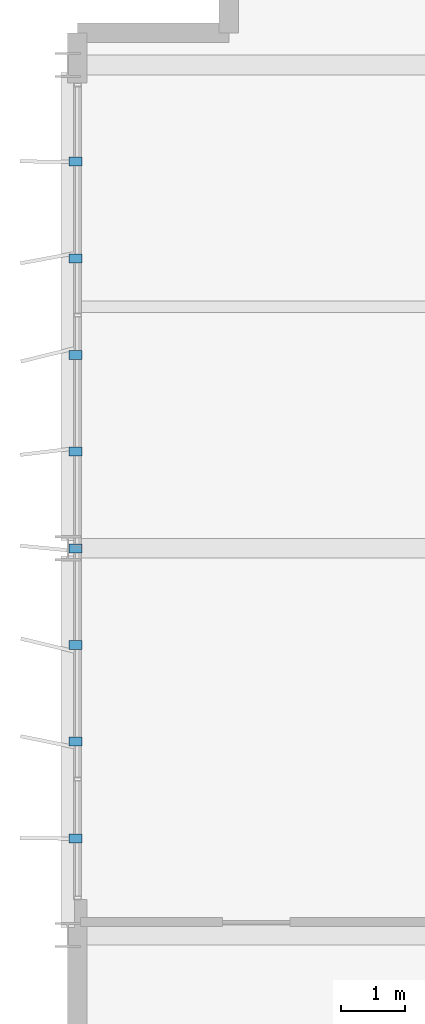
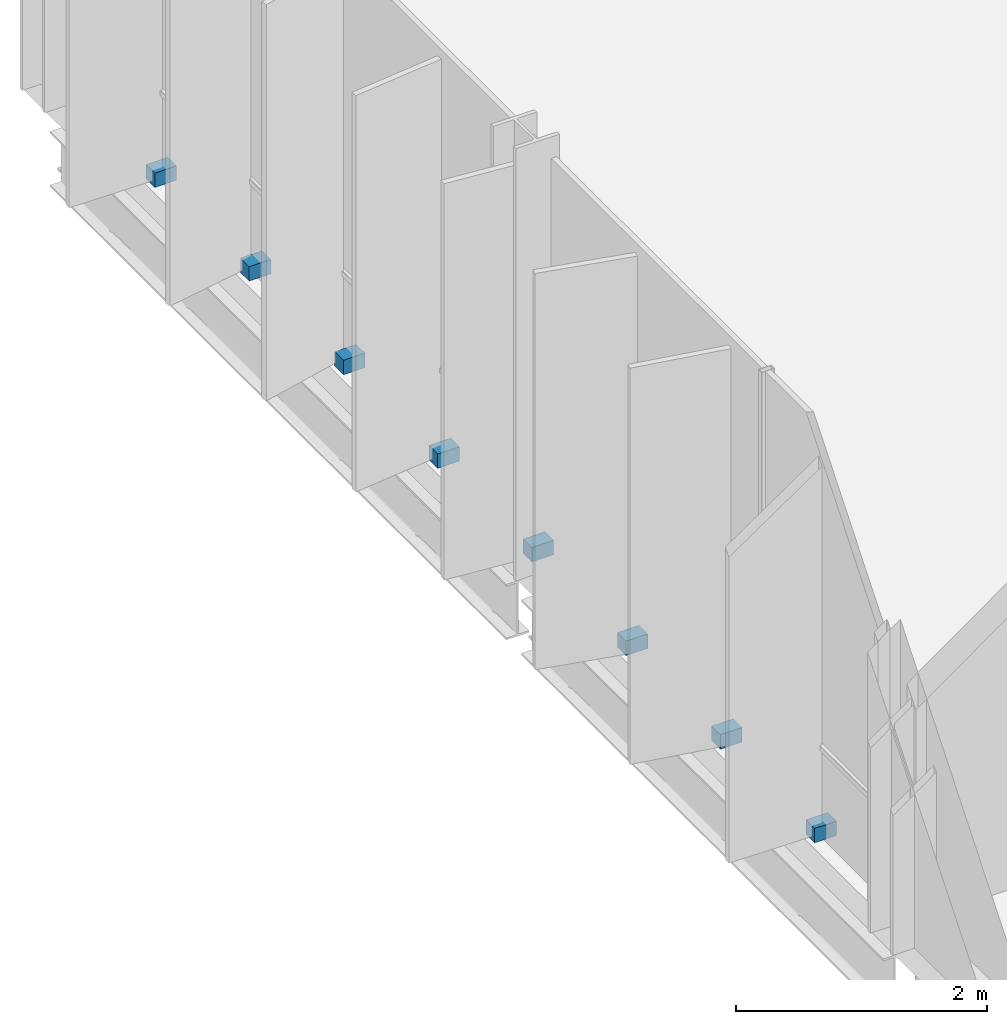
# One storey, part 29 of 33: 8 discrete accessories.
"""IFC4 building model written with IfcOpenShell, lengths in metres."""

from ifc_helpers import new_model, si_unit, direction, frame, origin, origin_2d, place, context, subcontext, project, spatial, rectangle, extrude, material, type_object, element, save


model = new_model("IFC4")

# Units and contexts
model_context = context("Model", 3, precision=1e-05, world=origin(), true_north=direction((0.0, 1.0)))
body_context = subcontext(model_context, "Body", "Model", "MODEL_VIEW")
ifc_project = project(units=[si_unit("LENGTHUNIT", "METRE"), si_unit("AREAUNIT", "SQUARE_METRE"), si_unit("VOLUMEUNIT", "CUBIC_METRE"), si_unit("PLANEANGLEUNIT", "RADIAN"), si_unit("MASSUNIT", "GRAM", prefix="KILO")], contexts=[model_context])

# Site, building, storey
site_placement = place(None, origin())
site = spatial("IfcSite", under=ifc_project, at=site_placement, CompositionType="ELEMENT")
building_placement = place(site_placement, origin())
building = spatial("IfcBuilding", under=site, at=building_placement, Name="Brevholm Reach", CompositionType="ELEMENT")
storey_placement = place(building_placement, frame((0.0, 0.0, 179.0)))
storey = spatial("IfcBuildingStorey", under=building, at=storey_placement, Name="L54", CompositionType="ELEMENT", Elevation=179.0)

# Discrete accessories
ifc_material = material(Name="Duplex Stainless Steel EN 1.4462", Category="steel")
discrete_accessory_type = type_object("IfcDiscreteAccessoryType", Name="ACC-BRK-01", PredefinedType="BRACKET", material=ifc_material)
for number, where, z_axis, x_axis, name in (
    (1, (0.1201171875, 11.5, 0.0302734375), (0.0, 0.0, 1.0), (-1.0, 0.0, 0.0), "L54 Solar Screen Support Bracket 1"),
    (2, (0.1201171875, 13.0, 0.0302734375), (0.0, 0.0, 1.0), (-1.0, 0.0, 0.0), "L54 Solar Screen Support Bracket 2"),
    (3, (0.1201171875, 14.5, 0.0302734375), (0.0, 0.0, 1.0), (-1.0, 0.0, 0.0), "L54 Solar Screen Support Bracket 3"),
    (4, (0.1201171875, 16.0, 0.0302734375), (0.0, 0.0, 1.0), (-1.0, 0.0, 0.0), "L54 Solar Screen Support Bracket 4"),
    (5, (0.1201171875, 17.5, 0.0302734375), (0.0, 0.0, 1.0), (-1.0, 0.0, 0.0), "L54 Solar Screen Support Bracket 5"),
    (6, (0.1201171875, 19.0, 0.0302734375), (0.0, 0.0, 1.0), (-1.0, 0.0, 0.0), "L54 Solar Screen Support Bracket 6"),
    (7, (0.1201171875, 20.5, 0.0302734375), (0.0, 0.0, 1.0), (-1.0, 0.0, 0.0), "L54 Solar Screen Support Bracket 7"),
    (8, (0.1201171875, 22.0, 0.0302734375), (0.0, 0.0, 1.0), (-1.0, 0.0, 0.0), "L54 Solar Screen Support Bracket 8"),
):
    element("IfcDiscreteAccessory", number, at=place(storey_placement, frame(where, z_axis=z_axis, x_axis=x_axis)), inside=storey, type_object=discrete_accessory_type, Name=name, PredefinedType="BRACKET", context=body_context, shape_type="SweptSolid", body=[
        extrude(rectangle(XDim=0.199951171875, YDim=0.139892578125, at=origin_2d()), origin(), (0.0, 0.0, 1.0), 0.139892578125),
    ])

save(model, "model.ifc")
